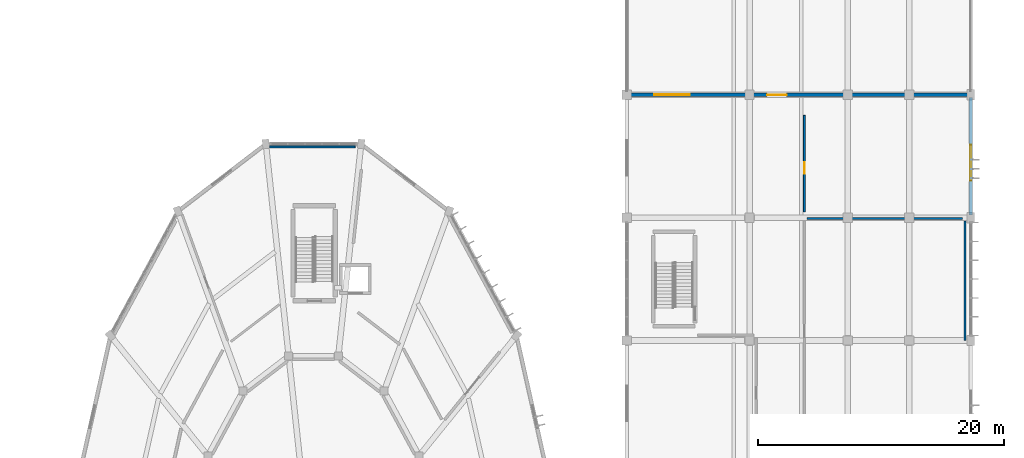
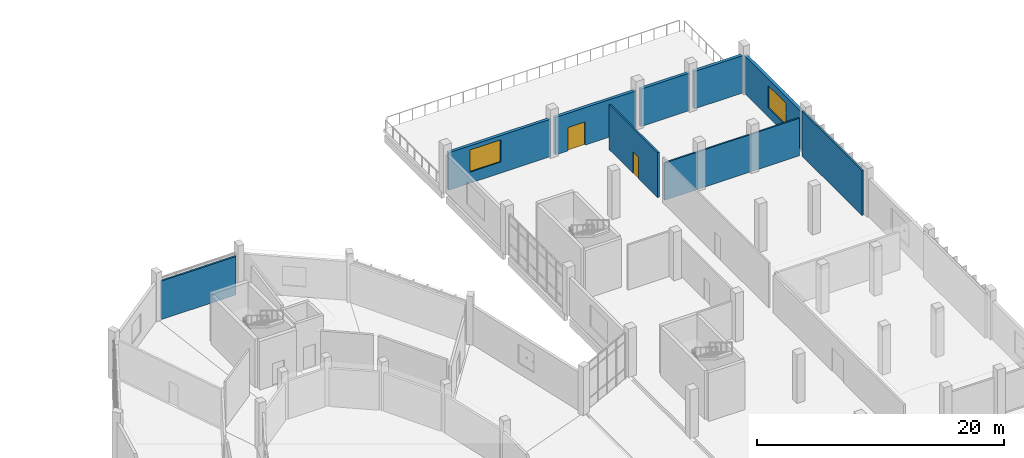
# One storey, part 129 of 179: 9 walls, 2 doors, 2 windows, 4 openings.
"""IFC4 building model written with IfcOpenShell, lengths in metres."""

from ifc_helpers import new_model, si_unit, direction, frame, frame_2d, origin, place, context, subcontext, project, spatial, rectangle, extrude, material, layer, layer_set, type_object, element, fill, save


model = new_model("IFC4")

# Units and contexts
model_context = context("Model", 3, precision=1e-05, world=origin(), true_north=direction((0.0, 1.0)))
body_context = subcontext(model_context, "Body", "Model", "MODEL_VIEW")
ifc_project = project(units=[si_unit("LENGTHUNIT", "METRE"), si_unit("AREAUNIT", "SQUARE_METRE"), si_unit("VOLUMEUNIT", "CUBIC_METRE"), si_unit("PLANEANGLEUNIT", "RADIAN"), si_unit("MASSUNIT", "GRAM", prefix="KILO")], contexts=[model_context])

# Site, building, storey
site_placement = place(None, origin())
site = spatial("IfcSite", under=ifc_project, at=site_placement, CompositionType="ELEMENT")
building_placement = place(site_placement, origin())
building = spatial("IfcBuilding", under=site, at=building_placement, Name="Corvandel Quay Wholesale Market", CompositionType="ELEMENT")
storey_placement = place(building_placement, frame((0.0, 0.0, 6.0)))
storey = spatial("IfcBuildingStorey", under=building, at=storey_placement, Name="L01", CompositionType="ELEMENT", Elevation=6.0)

# Wall, opening, window
ifc_material_1 = material(Name="Buff-pigmented precast concrete C45/55", Category="concrete")
ifc_layer_1 = layer(ifc_material_1, 0.280029296875)
ifc_layer_set_1 = layer_set([ifc_layer_1], Name="Buff-pigmented precast concrete C45/55")
wall_type_1 = type_object("IfcWallType", Name="Colonnade Spandrel Precast Wall EW07 280", PredefinedType="SOLIDWALL", material=ifc_layer_set_1)
wall_1_placement = place(storey_placement, frame((248.0, 90.219970703125, 0.0), z_axis=(0.0, 0.0, 1.0), x_axis=(0.0, 1.0, 0.0)))
wall_1 = element("IfcWall", 1, at=wall_1_placement, inside=storey, type_object=wall_type_1, Name="Exterior Wall EW-0356", PredefinedType="SOLIDWALL", context=body_context, shape_type="SweptSolid", body=[
    extrude(rectangle(XDim=9.56005859375, YDim=0.280029296875, at=frame_2d((4.780029296875, 0.0))), origin(), (0.0, 0.0, 1.0), 3.760009765625),
])
opening_1_placement = place(wall_1_placement, frame((2.800048828125, 0.0, 0.89990234375)))
opening_1 = element("IfcOpeningElement", 2, at=opening_1_placement, cuts=wall_1, Name="Opening L01-W093", PredefinedType="OPENING", context=body_context, shape_type="SweptSolid", body=[
    extrude(rectangle(XDim=2.89990234375, YDim=2.199951171875, at=frame_2d((1.449951171875, 1.10009765625))), frame((0.0, 0.14990234375, 0.0), z_axis=(0.0, -1.0, 0.0), x_axis=(1.0, 0.0, 0.0)), (0.0, 0.0, 1.0), 0.300048828125),
])
ifc_material_2 = material(Name="Thermally broken bronze anodised aluminium and solar-control low-E double glazing", Category="aluminium")
window_type = type_object("IfcWindowType", Name="Canteen Harbour Window WN18 2900x2200", PartitioningType="SINGLE_PANEL", PredefinedType="WINDOW", material=ifc_material_2)
window_1_placement = place(opening_1_placement, origin())
window_1 = element("IfcWindow", 3, at=window_1_placement, inside=storey, type_object=window_type, Name="Window L01-W093", OverallHeight=2.199951171875, OverallWidth=2.89990234375, PartitioningType="SINGLE_PANEL", PredefinedType="WINDOW", context=body_context, shape_type="SweptSolid", body=[
    extrude(rectangle(XDim=2.89990234375, YDim=2.199951171875, at=frame_2d((1.449951171875, 1.10009765625))), frame((0.0, 0.030029296875, 0.0), z_axis=(0.0, -1.0, 0.0), x_axis=(1.0, 0.0, 0.0)), (0.0, 0.0, 1.0), 0.06005859375),
])
fill(opening_1, window_1)

wall_2_placement = place(storey_placement, frame((220.219970703125, 100.0, 0.0), z_axis=(0.0, 0.0, 1.0), x_axis=(1.0, 0.0, 0.0)))
wall_2 = element("IfcWall", 4, at=wall_2_placement, inside=storey, type_object=wall_type_1, Name="Exterior Wall EW-0359", PredefinedType="SOLIDWALL", context=body_context, shape_type="SweptSolid", body=[
    extrude(rectangle(XDim=9.56005859375, YDim=0.280029296875, at=frame_2d((4.780029296875, 0.0))), origin(), (0.0, 0.0, 1.0), 3.7099609375),
])
opening_2_placement = place(wall_2_placement, frame((2.0, 0.0, 1.10009765625)))
opening_2 = element("IfcOpeningElement", 5, at=opening_2_placement, cuts=wall_2, Name="Opening L01-W096", PredefinedType="OPENING", context=body_context, shape_type="SweptSolid", body=[
    extrude(rectangle(XDim=2.89990234375, YDim=2.199951171875, at=frame_2d((1.449951171875, 1.10009765625))), frame((0.0, 0.14990234375, 0.0), z_axis=(0.0, -1.0, 0.0), x_axis=(1.0, 0.0, 0.0)), (0.0, 0.0, 1.0), 0.300048828125),
])
window_2_placement = place(opening_2_placement, origin())
window_2 = element("IfcWindow", 6, at=window_2_placement, inside=storey, type_object=window_type, Name="Window L01-W096", OverallHeight=2.199951171875, OverallWidth=2.89990234375, PartitioningType="SINGLE_PANEL", PredefinedType="WINDOW", context=body_context, shape_type="SweptSolid", body=[
    extrude(rectangle(XDim=2.89990234375, YDim=2.199951171875, at=frame_2d((1.449951171875, 1.10009765625))), frame((0.0, 0.030029296875, 0.0), z_axis=(0.0, -1.0, 0.0), x_axis=(1.0, 0.0, 0.0)), (0.0, 0.0, 1.0), 0.06005859375),
])
fill(opening_2, window_2)

# Wall, opening, door
wall_3_placement = place(storey_placement, frame((230.219970703125, 100.0, 0.0), z_axis=(0.0, 0.0, 1.0), x_axis=(1.0, 0.0, 0.0)))
wall_3 = element("IfcWall", 7, at=wall_3_placement, inside=storey, type_object=wall_type_1, Name="Exterior Wall EW-0361", PredefinedType="SOLIDWALL", context=body_context, shape_type="SweptSolid", body=[
    extrude(rectangle(XDim=7.56005859375, YDim=0.280029296875, at=frame_2d((3.780029296875, 0.0))), origin(), (0.0, 0.0, 1.0), 3.7099609375),
])
opening_3_placement = place(wall_3_placement, frame((1.199951171875, 0.0, 0.0)))
opening_3 = element("IfcOpeningElement", 8, at=opening_3_placement, cuts=wall_3, Name="Opening L01-D001", PredefinedType="OPENING", context=body_context, shape_type="SweptSolid", body=[
    extrude(rectangle(XDim=1.60009765625, YDim=2.300048828125, at=frame_2d((0.800048828125, 1.14990234375))), frame((0.0, 0.14990234375, 0.0), z_axis=(0.0, -1.0, 0.0), x_axis=(1.0, 0.0, 0.0)), (0.0, 0.0, 1.0), 0.300048828125),
])
ifc_material_3 = material(Name="Bronze anodised aluminium and low-E glass", Category="aluminium")
door_type_1 = type_object("IfcDoorType", Name="Terrace Garden Access Door ED04 1600x2300", OperationType="DOUBLE_DOOR_SINGLE_SWING", PredefinedType="DOOR", material=ifc_material_3)
door_1_placement = place(opening_3_placement, origin())
door_1 = element("IfcDoor", 9, at=door_1_placement, inside=storey, type_object=door_type_1, Name="North Terrace Door L01-232", OperationType="DOUBLE_DOOR_SINGLE_SWING", OverallHeight=2.300048828125, OverallWidth=1.60009765625, PredefinedType="DOOR", context=body_context, shape_type="SweptSolid", body=[
    extrude(rectangle(XDim=1.60009765625, YDim=2.300048828125, at=frame_2d((0.800048828125, 1.14990234375))), frame((0.0, 0.02490234375, 0.0), z_axis=(0.0, -1.0, 0.0), x_axis=(1.0, 0.0, 0.0)), (0.0, 0.0, 1.0), 0.050048828125),
])
fill(opening_3, door_1)

# Walls
for number, where, z_axis, x_axis, name in (
    (10, (238.219970703125, 100.0, 0.0), (0.0, 0.0, 1.0), (1.0, 0.0, 0.0), "Exterior Wall EW-0363"),
    (11, (243.219970703125, 100.0, 0.0), (0.0, 0.0, 1.0), (1.0, 0.0, 0.0), "Exterior Wall EW-0365"),
):
    element("IfcWall", number, at=place(storey_placement, frame(where, z_axis=z_axis, x_axis=x_axis)), inside=storey, type_object=wall_type_1, Name=name, PredefinedType="SOLIDWALL", context=body_context, shape_type="SweptSolid", body=[
        extrude(rectangle(XDim=4.56005859375, YDim=0.280029296875, at=frame_2d((2.280029296875, 0.0))), origin(), (0.0, 0.0, 1.0), 3.7099609375),
    ])
ifc_material_4 = material(Name="Double-layer acoustic gypsum stud partition")
ifc_layer_2 = layer(ifc_material_4, 0.139892578125)
ifc_layer_set_2 = layer_set([ifc_layer_2], Name="Double-layer acoustic gypsum stud partition")
wall_type_2 = type_object("IfcWallType", Name="Office Acoustic Partition PT07 140", PredefinedType="PARTITIONING", material=ifc_layer_set_2)
wall_4_placement = place(storey_placement, frame((234.679931640625, 89.93994140625, 0.0), z_axis=(0.0, 0.0, 1.0), x_axis=(1.0, 0.0, 0.0)))
element("IfcWall", 12, at=wall_4_placement, inside=storey, type_object=wall_type_2, Name="Interior Wall IW-0879", PredefinedType="PARTITIONING", context=body_context, shape_type="SweptSolid", body=[
    extrude(rectangle(XDim=12.64013671875, YDim=0.139892578125, at=frame_2d((6.320068359375, 0.0))), origin(), (0.0, 0.0, 1.0), 3.7099609375),
])
wall_5_placement = place(storey_placement, frame((247.5400390625, 89.719970703125, 0.0), z_axis=(0.0, 0.0, 1.0), x_axis=(0.0, -1.0, 0.0)))
element("IfcWall", 13, at=wall_5_placement, inside=storey, type_object=wall_type_2, Name="Interior Wall IW-0880", PredefinedType="PARTITIONING", context=body_context, shape_type="SweptSolid", body=[
    extrude(rectangle(XDim=9.719970703125, YDim=0.139892578125, at=frame_2d((4.85986328125, 0.0))), origin(), (0.0, 0.0, 1.0), 4.4599609375),
])
ifc_material_5 = material(Name="Moisture-resistant tile-backer partition")
ifc_layer_3 = layer(ifc_material_5, 0.159912109375)
ifc_layer_set_3 = layer_set([ifc_layer_3], Name="Moisture-resistant tile-backer partition")
wall_type_3 = type_object("IfcWallType", Name="Sanitary Tile Partition PT06 160", PredefinedType="PARTITIONING", material=ifc_layer_set_3)
wall_6_placement = place(storey_placement, frame((190.922119140625, 95.760009765625, 0.0), z_axis=(0.0, 0.0, 1.0), x_axis=(1.0, 0.0, 0.0)))
element("IfcWall", 14, at=wall_6_placement, inside=storey, type_object=wall_type_3, Name="Interior Wall IW-0732", PredefinedType="PARTITIONING", context=body_context, shape_type="SweptSolid", body=[
    extrude(rectangle(XDim=6.969970703125, YDim=0.159912109375, at=frame_2d((3.48486328125, 0.0))), origin(), (0.0, 0.0, 1.0), 3.81005859375),
])

# Wall, opening, door
wall_7_placement = place(storey_placement, frame((234.4599609375, 90.47998046875, 0.0), z_axis=(0.0, 0.0, 1.0), x_axis=(0.0, 1.0, 0.0)))
wall_7 = element("IfcWall", 15, at=wall_7_placement, inside=storey, type_object=wall_type_3, Name="Interior Wall IW-0881", PredefinedType="PARTITIONING", context=body_context, shape_type="SweptSolid", body=[
    extrude(rectangle(XDim=7.85009765625, YDim=0.159912109375, at=frame_2d((3.925048828125, 0.0))), origin(), (0.0, 0.0, 1.0), 4.4599609375),
])
opening_4_placement = place(wall_7_placement, frame((3.074951171875, 0.0, 0.0)))
opening_4 = element("IfcOpeningElement", 16, at=opening_4_placement, cuts=wall_7, Name="Opening L01-D069", PredefinedType="OPENING", context=body_context, shape_type="SweptSolid", body=[
    extrude(rectangle(XDim=0.949951171875, YDim=2.14990234375, at=frame_2d((0.47509765625, 1.074951171875))), frame((0.0, 0.08984375, 0.0), z_axis=(0.0, -1.0, 0.0), x_axis=(1.0, 0.0, 0.0)), (0.0, 0.0, 1.0), 0.179931640625),
])
ifc_material_6 = material(Name="Moisture-resistant HPL solid core")
door_type_2 = type_object("IfcDoorType", Name="Accessible Restroom Door ID14 950x2150R", OperationType="SINGLE_SWING_RIGHT", PredefinedType="DOOR", material=ifc_material_6)
door_2_placement = place(opening_4_placement, origin())
door_2 = element("IfcDoor", 17, at=door_2_placement, inside=storey, type_object=door_type_2, Name="Public Accessible Toilet and Restroom V5 Door", OperationType="SINGLE_SWING_RIGHT", OverallHeight=2.14990234375, OverallWidth=0.949951171875, PredefinedType="DOOR", context=body_context, shape_type="SweptSolid", body=[
    extrude(rectangle(XDim=0.949951171875, YDim=2.14990234375, at=frame_2d((0.47509765625, 1.074951171875))), frame((0.0, 0.02490234375, 0.0), z_axis=(0.0, -1.0, 0.0), x_axis=(1.0, 0.0, 0.0)), (0.0, 0.0, 1.0), 0.050048828125),
])
fill(opening_4, door_2)

save(model, "model.ifc")
